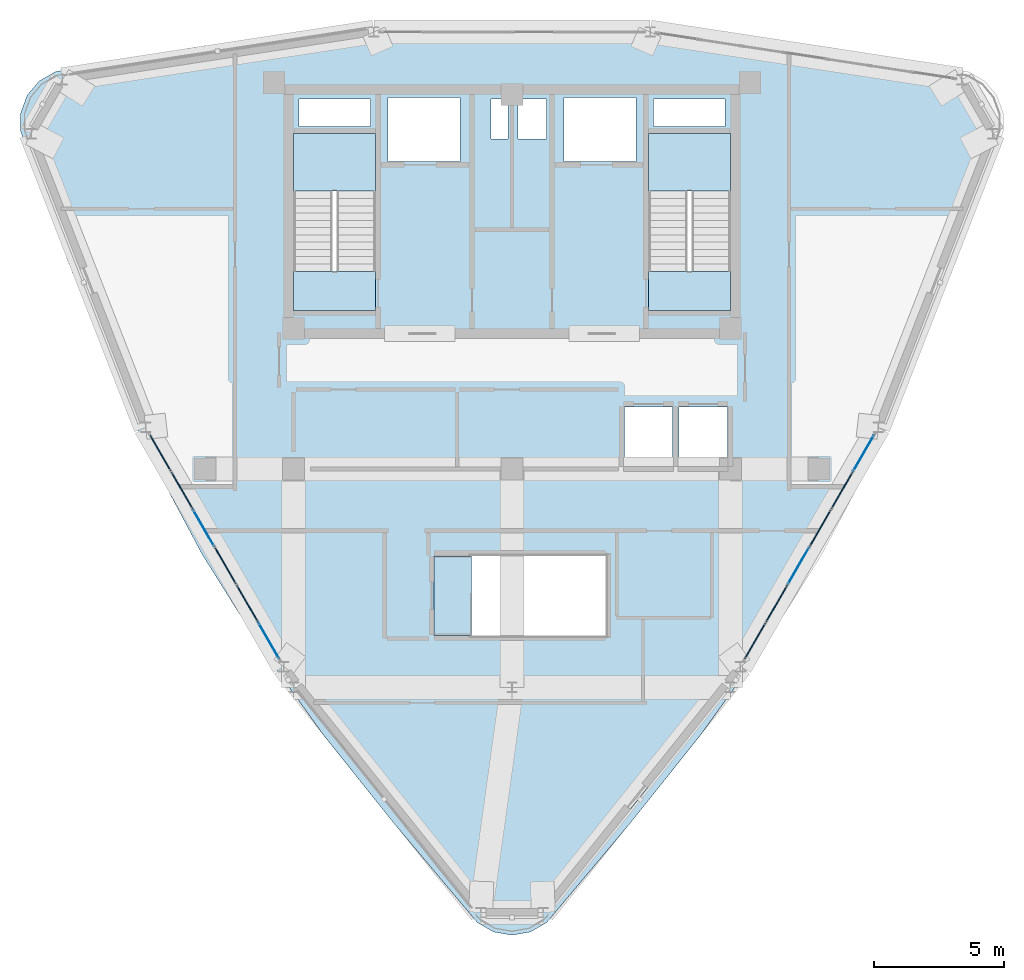
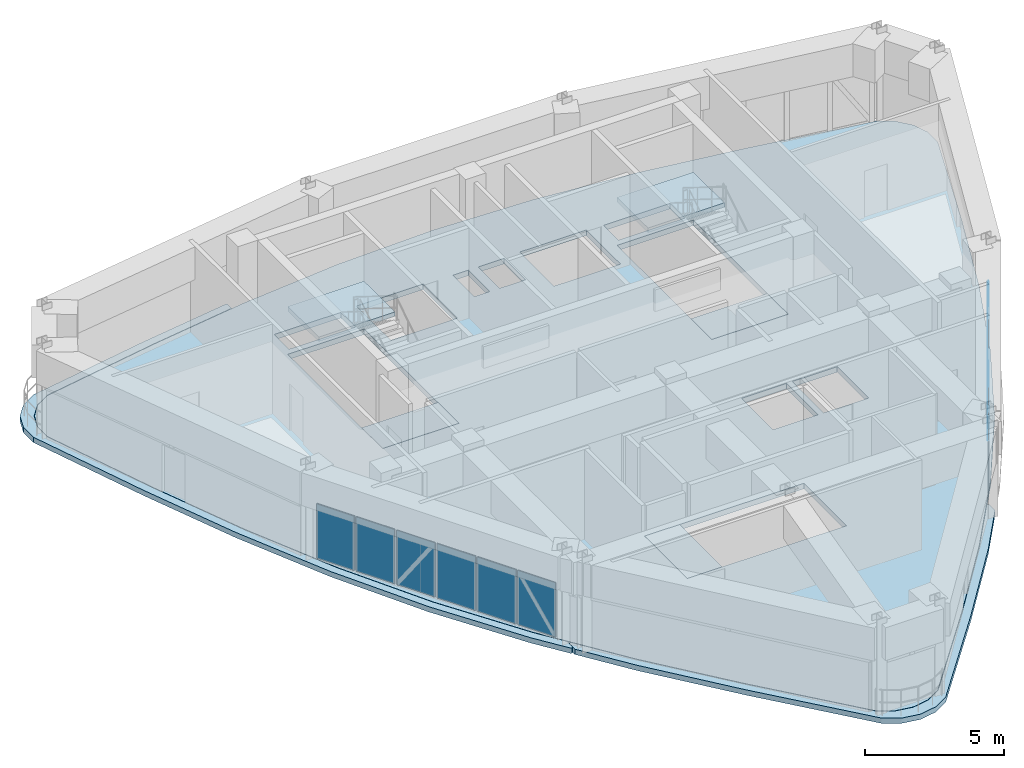
# One storey, part 11 of 16: 12 plates, 8 slabs, 4 elements without a shape of their own.
"""IFC4 building model written with IfcOpenShell, lengths in metres."""

from ifc_helpers import new_model, si_unit, derived_unit, direction, frame, origin, origin_2d, place, context, subcontext, project, spatial, polyline, rectangle, outline, extrude, source, transform, mapped, material, layer, layer_set, type_object, element, aggregate, save


model = new_model("IFC4")

# Units and contexts
model_context = context("Model", 3, precision=1e-05, world=origin(), true_north=direction((0.0, 1.0)))
body_context = subcontext(model_context, "Body", "Model", "MODEL_VIEW")
ifc_project = project(units=[si_unit("LENGTHUNIT", "METRE"), si_unit("AREAUNIT", "SQUARE_METRE"), si_unit("VOLUMEUNIT", "CUBIC_METRE"), si_unit("PLANEANGLEUNIT", "RADIAN"), si_unit("MASSUNIT", "GRAM", prefix="KILO"), derived_unit("THERMALTRANSMITTANCEUNIT", [(si_unit("POWERUNIT", "WATT"), 1), (si_unit("LENGTHUNIT", "METRE"), -2), (si_unit("THERMODYNAMICTEMPERATUREUNIT", "KELVIN"), -1)])], contexts=[model_context])

# Site, building, storey
site_placement = place(None, origin())
site = spatial("IfcSite", under=ifc_project, at=site_placement, CompositionType="ELEMENT")
building_placement = place(site_placement, origin())
building = spatial("IfcBuilding", under=site, at=building_placement, Name="Korsvarv Bourse and Concert Hall", CompositionType="ELEMENT")
storey_placement = place(building_placement, frame((0.0, 0.0, 288.0)))
storey = spatial("IfcBuildingStorey", under=building, at=storey_placement, Name="L75", CompositionType="ELEMENT", Elevation=288.0)

# Slabs
ifc_material_1 = material(Name="Precast concrete C45/55", Category="concrete")
ifc_layer_1 = layer(ifc_material_1, 0.199951171875)
ifc_layer_set_1 = layer_set([ifc_layer_1], Name="Precast concrete C45/55")
slab_type_1 = type_object("IfcSlabType", Name="SLB-FLND-T", PredefinedType="LANDING", material=ifc_layer_set_1)
slab_1_placement = place(storey_placement, frame((0.0, 0.0, -0.199951171875)))
element("IfcSlab", 1, at=slab_1_placement, inside=storey, type_object=slab_type_1, Name="L75 Stair ST-T1 Floor Landing Slab", PredefinedType="LANDING", context=body_context, shape_type="SweptSolid", body=[
    extrude(outline(polyline([(30.760009765625, 38.5), (30.760009765625, 40.0), (27.60009765625, 40.0), (27.60009765625, 38.5), (30.760009765625, 38.5)])), origin(), (0.0, 0.0, 1.0), 0.199951171875),
])
slab_2_placement = place(storey_placement, frame((0.0, 0.0, -0.199951171875)))
element("IfcSlab", 2, at=slab_2_placement, inside=storey, type_object=slab_type_1, Name="L75 Stair ST-T2 Floor Landing Slab", PredefinedType="LANDING", context=body_context, shape_type="SweptSolid", body=[
    extrude(outline(polyline([(44.39990234375, 38.5), (44.39990234375, 40.0), (41.239990234375, 40.0), (41.239990234375, 38.5), (44.39990234375, 38.5)])), origin(), (0.0, 0.0, 1.0), 0.199951171875),
])
slab_3_placement = place(storey_placement, frame((0.0, 0.0, -0.199951171875)))
element("IfcSlab", 3, at=slab_3_placement, inside=storey, type_object=slab_type_1, Name="L75 Stair ST-LK1 Floor Landing Slab", PredefinedType="LANDING", context=body_context, shape_type="SweptSolid", body=[
    extrude(outline(polyline([(33.0, 26.0), (34.449951171875, 26.0), (34.449951171875, 29.06005859375), (33.0, 29.06005859375), (33.0, 26.0)])), origin(), (0.0, 0.0, 1.0), 0.199951171875),
])
ifc_material_2 = material(Name="Concrete C45/55", Category="concrete")
ifc_layer_2 = layer(ifc_material_2, 0.239990234375)
ifc_layer_set_2 = layer_set([ifc_layer_2], Name="Concrete C45/55")
slab_type_2 = type_object("IfcSlabType", Name="SLB-LKT", PredefinedType="FLOOR", material=ifc_layer_set_2)
slab_4_placement = place(storey_placement, frame((0.0, 0.0, -0.239990234375)))
element("IfcSlab", 4, at=slab_4_placement, inside=storey, type_object=slab_type_2, Name="L75 tower structural floor slab", PredefinedType="FLOOR", context=body_context, shape_type="SweptSolid", body=[
    extrude(outline(polyline([(54.1455078125, 44.359130859375), (52.722412109375, 40.440673828125), (51.211669921875, 36.59765625), (49.531494140625, 32.8720703125), (47.626953125, 29.287109375), (45.474853515625, 25.84521484375), (43.088134765625, 22.527587890625), (40.515380859375, 19.297607421875), (37.8330078125, 16.105712890625), (37.28662109375, 15.454345703125), (36.6845703125, 15.106689453125), (36.0, 14.986083984375), (35.3154296875, 15.106689453125), (34.713623046875, 15.454345703125), (34.16650390625, 16.106201171875), (31.484619140625, 19.297607421875), (28.911865234375, 22.527587890625), (26.525146484375, 25.84521484375), (24.373046875, 29.287109375), (22.468505859375, 32.8720703125), (20.788330078125, 36.59765625), (19.277587890625, 40.440673828125), (17.8544921875, 44.359619140625), (17.563720703125, 45.15869140625), (17.563720703125, 45.85400390625), (17.801513671875, 46.5068359375), (18.248291015625, 47.039306640625), (18.85009765625, 47.386962890625), (19.68798828125, 47.53466796875), (23.793212890625, 48.26171875), (27.876708984375, 48.874755859375), (31.943115234375, 49.28271484375), (36.0, 49.42578125), (40.056884765625, 49.28271484375), (44.123291015625, 48.874755859375), (48.206787109375, 48.26171875), (52.3125, 47.53466796875), (53.14990234375, 47.386962890625), (53.751708984375, 47.039306640625), (54.198486328125, 46.5068359375), (54.436279296875, 45.85400390625), (54.436279296875, 45.15869140625), (54.1455078125, 44.359130859375)]), holes=[polyline([(30.760009765625, 38.5), (30.760009765625, 45.300048828125), (27.60009765625, 45.300048828125), (27.60009765625, 38.5), (30.760009765625, 38.5)]), polyline([(44.39990234375, 38.5), (44.39990234375, 45.300048828125), (41.239990234375, 45.300048828125), (41.239990234375, 38.5), (44.39990234375, 38.5)]), polyline([(33.0, 26.0), (39.60009765625, 26.0), (39.60009765625, 29.06005859375), (33.0, 29.06005859375), (33.0, 26.0)]), polyline([(31.239990234375, 44.219970703125), (34.0, 44.219970703125), (34.0, 46.679931640625), (31.239990234375, 46.679931640625), (31.239990234375, 44.219970703125)]), polyline([(38.0, 44.219970703125), (40.760009765625, 44.219970703125), (40.760009765625, 46.679931640625), (38.0, 46.679931640625), (38.0, 44.219970703125)]), polyline([(40.320068359375, 32.52001953125), (42.179931640625, 32.52001953125), (42.179931640625, 34.780029296875), (40.320068359375, 34.780029296875), (40.320068359375, 32.52001953125)]), polyline([(42.419921875, 32.52001953125), (44.280029296875, 32.52001953125), (44.280029296875, 34.780029296875), (42.419921875, 34.780029296875), (42.419921875, 32.52001953125)]), polyline([(27.800048828125, 45.56005859375), (30.56005859375, 45.56005859375), (30.56005859375, 46.6201171875), (27.800048828125, 46.6201171875), (27.800048828125, 45.56005859375)]), polyline([(41.43994140625, 45.56005859375), (44.199951171875, 45.56005859375), (44.199951171875, 46.6201171875), (41.43994140625, 46.6201171875), (41.43994140625, 45.56005859375)]), polyline([(35.199951171875, 45.080078125), (35.840087890625, 45.080078125), (35.840087890625, 46.6201171875), (35.199951171875, 46.6201171875), (35.199951171875, 45.080078125)]), polyline([(36.239990234375, 45.080078125), (37.320068359375, 45.080078125), (37.320068359375, 46.6201171875), (36.239990234375, 46.6201171875), (36.239990234375, 45.080078125)])]), origin(), (0.0, 0.0, 1.0), 0.239990234375),
])
ifc_layer_3 = layer(ifc_material_2, 0.22998046875)
ifc_layer_set_3 = layer_set([ifc_layer_3], Name="Concrete C45/55")
slab_type_3 = type_object("IfcSlabType", Name="SLB-SKY", PredefinedType="FLOOR", material=ifc_layer_set_3)
slab_5_placement = place(storey_placement, frame((0.0, 0.0, -0.22998046875)))
element("IfcSlab", 5, at=slab_5_placement, inside=storey, type_object=slab_type_3, Name="L75 Crescent Sky Garden Terrace 1", PredefinedType="FLOOR", context=body_context, shape_type="SweptSolid", body=[
    extrude(outline(polyline([(17.5537109375, 45.853759765625), (17.5537109375, 45.853271484375), (17.5537109375, 45.159423828125), (17.5537109375, 45.15869140625), (17.5537109375, 45.157470703125), (17.553955078125, 45.156494140625), (17.55419921875, 45.1552734375), (17.554443359375, 45.15478515625), (17.844970703125, 44.356201171875), (19.26806640625, 40.4375), (19.268310546875, 40.437255859375), (19.268310546875, 40.436767578125), (20.77880859375, 36.59423828125), (20.779052734375, 36.593994140625), (20.779541015625, 36.593017578125), (22.458984375, 32.868408203125), (22.45947265625, 32.86767578125), (22.459716796875, 32.866943359375), (24.364013671875, 29.282958984375), (24.364501953125, 29.2822265625), (24.364990234375, 29.281494140625), (26.5166015625, 25.84033203125), (26.516845703125, 25.839599609375), (26.517333984375, 25.839111328125), (27.288818359375, 24.766845703125), (27.2919921875, 24.761474609375), (27.294921875, 24.756103515625), (27.297119140625, 24.75), (27.298583984375, 24.744140625), (27.2998046875, 24.73779296875), (27.300048828125, 24.731689453125), (27.300048828125, 24.367919921875), (27.2998046875, 24.362060546875), (27.298828125, 24.356201171875), (27.297607421875, 24.3505859375), (27.295654296875, 24.34521484375), (27.293212890625, 24.33984375), (27.290283203125, 24.3349609375), (27.28662109375, 24.330078125), (27.282958984375, 24.325927734375), (27.278564453125, 24.322021484375), (27.27392578125, 24.318359375), (27.26904296875, 24.315185546875), (27.263916015625, 24.312744140625), (27.25830078125, 24.310791015625), (27.252685546875, 24.30908203125), (27.2470703125, 24.308349609375), (27.2412109375, 24.307861328125), (27.235595703125, 24.30810546875), (27.229736328125, 24.30859375), (27.22412109375, 24.31005859375), (27.218505859375, 24.311767578125), (27.213134765625, 24.314208984375), (27.2080078125, 24.31689453125), (27.203369140625, 24.3203125), (27.198974609375, 24.32421875), (27.19482421875, 24.328369140625), (27.19140625, 24.332763671875), (26.285400390625, 25.59228515625), (26.283203125, 25.595458984375), (24.08154296875, 29.116455078125), (24.079345703125, 29.1201171875), (22.131103515625, 32.787353515625), (22.12939453125, 32.790771484375), (20.41064453125, 36.6025390625), (20.409423828125, 36.605224609375), (18.86328125, 40.53759765625), (18.86279296875, 40.5390625), (17.40625, 44.55029296875), (17.111083984375, 45.361572265625), (17.109375, 45.36669921875), (17.1083984375, 45.37158203125), (17.107666015625, 45.376953125), (17.107421875, 45.382080078125), (17.107421875, 46.07958984375), (17.107666015625, 46.0849609375), (17.1083984375, 46.090087890625), (17.109375, 46.09521484375), (17.111083984375, 46.10009765625), (17.349609375, 46.755859375), (17.3515625, 46.760498046875), (17.35400390625, 46.76513671875), (17.356689453125, 46.769775390625), (17.360107421875, 46.773681640625), (17.80859375, 47.30810546875), (17.81201171875, 47.31201171875), (17.81591796875, 47.315673828125), (17.820068359375, 47.31884765625), (17.824462890625, 47.321533203125), (18.428466796875, 47.67041015625), (18.43310546875, 47.6728515625), (18.43798828125, 47.6748046875), (18.443115234375, 47.676513671875), (18.447998046875, 47.677490234375), (19.299072265625, 47.82763671875), (23.50048828125, 48.57177734375), (23.502197265625, 48.572021484375), (27.231201171875, 49.1318359375), (27.23681640625, 49.13232421875), (27.242431640625, 49.13232421875), (27.248291015625, 49.1318359375), (27.25390625, 49.130859375), (27.259521484375, 49.129150390625), (27.2646484375, 49.127197265625), (27.269775390625, 49.12451171875), (27.274658203125, 49.121337890625), (27.279296875, 49.117919921875), (27.283203125, 49.114013671875), (27.287109375, 49.109619140625), (27.290283203125, 49.10498046875), (27.293212890625, 49.10009765625), (27.295654296875, 49.0947265625), (27.297607421875, 49.08935546875), (27.298828125, 49.083740234375), (27.2998046875, 49.078125), (27.300048828125, 49.072509765625), (27.300048828125, 48.85009765625), (27.2998046875, 48.843994140625), (27.298828125, 48.837890625), (27.297119140625, 48.83203125), (27.295166015625, 48.826171875), (27.29248046875, 48.82080078125), (27.289306640625, 48.815673828125), (27.285400390625, 48.810791015625), (27.28125, 48.806396484375), (27.276611328125, 48.802490234375), (27.271484375, 48.799072265625), (27.266357421875, 48.7958984375), (27.2607421875, 48.793701171875), (27.2548828125, 48.791748046875), (27.248779296875, 48.79052734375), (23.791748046875, 48.271484375), (23.79150390625, 48.271484375), (23.791015625, 48.271484375), (19.686279296875, 47.54443359375), (18.84912109375, 47.39697265625), (18.848388671875, 47.396728515625), (18.84716796875, 47.396484375), (18.84619140625, 47.39599609375), (18.84521484375, 47.3955078125), (18.844482421875, 47.395263671875), (18.24365234375, 47.04833984375), (18.2431640625, 47.048095703125), (18.2421875, 47.04736328125), (18.241455078125, 47.046630859375), (18.240478515625, 47.045654296875), (18.239990234375, 47.04541015625), (17.794189453125, 46.513916015625), (17.793701171875, 46.513427734375), (17.79296875, 46.51220703125), (17.79248046875, 46.511474609375), (17.7919921875, 46.51025390625), (17.791748046875, 46.509765625), (17.554443359375, 45.85791015625), (17.55419921875, 45.857421875), (17.553955078125, 45.85595703125), (17.5537109375, 45.85498046875), (17.5537109375, 45.853759765625)])), origin(), (0.0, 0.0, 1.0), 0.22998046875),
])
slab_6_placement = place(storey_placement, frame((0.0, 0.0, -0.22998046875)))
element("IfcSlab", 6, at=slab_6_placement, inside=storey, type_object=slab_type_3, Name="L75 Crescent Sky Garden Terrace 3", PredefinedType="FLOOR", context=body_context, shape_type="SweptSolid", body=[
    extrude(outline(polyline([(34.70751953125, 15.4462890625), (34.70849609375, 15.445556640625), (34.708984375, 15.4453125), (35.31005859375, 15.098388671875), (35.310546875, 15.09814453125), (35.311767578125, 15.09765625), (35.3125, 15.097412109375), (35.31396484375, 15.096923828125), (35.314453125, 15.0966796875), (35.99755859375, 14.976318359375), (35.998291015625, 14.976318359375), (35.99951171875, 14.97607421875), (36.00048828125, 14.97607421875), (36.001708984375, 14.976318359375), (36.00244140625, 14.976318359375), (36.685546875, 15.0966796875), (36.68603515625, 15.096923828125), (36.6875, 15.097412109375), (36.688232421875, 15.09765625), (36.689453125, 15.09814453125), (36.68994140625, 15.098388671875), (37.291015625, 15.4453125), (37.29150390625, 15.44580078125), (37.29248046875, 15.4462890625), (37.293212890625, 15.447021484375), (37.294189453125, 15.447998046875), (37.29443359375, 15.448486328125), (37.8408203125, 16.09912109375), (40.52294921875, 19.291015625), (40.523193359375, 19.291259765625), (40.5234375, 19.29150390625), (43.095703125, 22.52099609375), (43.09619140625, 22.521484375), (43.0966796875, 22.522216796875), (44.59130859375, 24.599853515625), (44.594970703125, 24.6044921875), (44.598876953125, 24.608642578125), (44.603515625, 24.6123046875), (44.608154296875, 24.61572265625), (44.61328125, 24.61865234375), (44.618408203125, 24.620849609375), (44.6240234375, 24.622802734375), (44.629638671875, 24.6240234375), (44.635498046875, 24.624755859375), (44.641357421875, 24.625), (44.647216796875, 24.62451171875), (44.65283203125, 24.62353515625), (44.658447265625, 24.6220703125), (44.663818359375, 24.6201171875), (44.669189453125, 24.617431640625), (44.674072265625, 24.6142578125), (44.6787109375, 24.61083984375), (44.682861328125, 24.60693359375), (44.686767578125, 24.6025390625), (44.690185546875, 24.597900390625), (44.693115234375, 24.5927734375), (44.695556640625, 24.587646484375), (44.697509765625, 24.58203125), (44.698974609375, 24.576416015625), (44.69970703125, 24.57080078125), (44.699951171875, 24.56494140625), (44.699951171875, 24.200927734375), (44.69970703125, 24.19482421875), (44.69873046875, 24.188720703125), (44.697021484375, 24.1826171875), (44.69482421875, 24.1767578125), (44.692138671875, 24.171142578125), (44.688720703125, 24.166015625), (43.27294921875, 22.197998046875), (43.271240234375, 22.195556640625), (40.638671875, 18.890380859375), (40.6376953125, 18.889404296875), (37.89208984375, 15.622314453125), (37.337158203125, 14.9609375), (37.33349609375, 14.95703125), (37.32958984375, 14.95361328125), (37.32568359375, 14.9501953125), (37.321044921875, 14.947509765625), (36.717041015625, 14.5986328125), (36.71240234375, 14.59619140625), (36.70751953125, 14.59423828125), (36.70263671875, 14.5927734375), (36.697509765625, 14.591552734375), (36.010498046875, 14.470458984375), (36.005126953125, 14.4697265625), (36.0, 14.469482421875), (35.994873046875, 14.4697265625), (35.989501953125, 14.470458984375), (35.302490234375, 14.591552734375), (35.29736328125, 14.5927734375), (35.29248046875, 14.59423828125), (35.28759765625, 14.59619140625), (35.282958984375, 14.5986328125), (34.678955078125, 14.947509765625), (34.67431640625, 14.9501953125), (34.67041015625, 14.95361328125), (34.66650390625, 14.95703125), (34.662841796875, 14.9609375), (34.107421875, 15.622802734375), (31.3623046875, 18.889404296875), (31.361328125, 18.890380859375), (28.728759765625, 22.195556640625), (28.72705078125, 22.197998046875), (27.311279296875, 24.166015625), (27.307861328125, 24.171142578125), (27.30517578125, 24.1767578125), (27.302978515625, 24.1826171875), (27.30126953125, 24.188720703125), (27.30029296875, 24.19482421875), (27.300048828125, 24.200927734375), (27.300048828125, 24.56494140625), (27.30029296875, 24.57080078125), (27.301025390625, 24.576416015625), (27.302490234375, 24.58203125), (27.304443359375, 24.587646484375), (27.306884765625, 24.5927734375), (27.309814453125, 24.597900390625), (27.313232421875, 24.6025390625), (27.317138671875, 24.60693359375), (27.3212890625, 24.61083984375), (27.325927734375, 24.6142578125), (27.330810546875, 24.617431640625), (27.336181640625, 24.6201171875), (27.341552734375, 24.6220703125), (27.34716796875, 24.62353515625), (27.352783203125, 24.62451171875), (27.358642578125, 24.625), (27.364501953125, 24.624755859375), (27.370361328125, 24.6240234375), (27.3759765625, 24.622802734375), (27.381591796875, 24.620849609375), (27.38671875, 24.61865234375), (27.391845703125, 24.61572265625), (27.396484375, 24.6123046875), (27.401123046875, 24.608642578125), (27.405029296875, 24.6044921875), (27.40869140625, 24.599853515625), (28.9033203125, 22.522216796875), (28.90380859375, 22.521728515625), (28.904296875, 22.52099609375), (31.4765625, 19.29150390625), (31.476806640625, 19.291259765625), (31.47705078125, 19.291015625), (34.158935546875, 16.099609375), (34.70556640625, 15.448486328125), (34.705810546875, 15.447998046875), (34.706787109375, 15.447021484375), (34.70751953125, 15.4462890625)])), origin(), (0.0, 0.0, 1.0), 0.22998046875),
])

# Stair, slab
stair_type = type_object("IfcStairType", Name="STR-TYPE-05", PredefinedType="HALF_TURN_STAIR", material=ifc_material_1)
stair_1_placement = place(storey_placement, origin())
stair_1 = element("IfcStair", 7, at=stair_1_placement, inside=storey, type_object=stair_type, Name="L75 Tower West Exit Stair ST-T1", PredefinedType="HALF_TURN_STAIR")
ifc_layer_4 = layer(ifc_material_1, 0.199951171875)
ifc_layer_set_4 = layer_set([ifc_layer_4], Name="Precast concrete C45/55")
slab_type_4 = type_object("IfcSlabType", Name="SLB-ST-LND", PredefinedType="LANDING", material=ifc_layer_set_4)
slab_7_placement = place(storey_placement, frame((0.0, 0.0, 1.89990234375)))
slab_7 = element("IfcSlab", 8, at=slab_7_placement, type_object=slab_type_4, Name="ST-T1 landing 1", PredefinedType="LANDING", context=body_context, shape_type="SweptSolid", body=[
    extrude(outline(polyline([(30.760009765625, 43.080078125), (30.760009765625, 45.300048828125), (27.60009765625, 45.300048828125), (27.60009765625, 43.080078125), (30.760009765625, 43.080078125)])), origin(), (0.0, 0.0, 1.0), 0.2001953125),
])
aggregate(stair_1, [slab_7])

stair_2_placement = place(storey_placement, origin())
stair_2 = element("IfcStair", 9, at=stair_2_placement, inside=storey, type_object=stair_type, Name="L75 Tower East Exit Stair ST-T2", PredefinedType="HALF_TURN_STAIR")
slab_8_placement = place(storey_placement, frame((0.0, 0.0, 1.89990234375)))
slab_8 = element("IfcSlab", 10, at=slab_8_placement, type_object=slab_type_4, Name="ST-T2 landing 1", PredefinedType="LANDING", context=body_context, shape_type="SweptSolid", body=[
    extrude(outline(polyline([(44.39990234375, 43.080078125), (44.39990234375, 45.300048828125), (41.239990234375, 45.300048828125), (41.239990234375, 43.080078125), (44.39990234375, 43.080078125)])), origin(), (0.0, 0.0, 1.0), 0.2001953125),
])
aggregate(stair_2, [slab_8])

# Curtain wall, plate
ifc_material_3 = material(Name="Anodised aluminium and triple low-E glazing", Category="glass")
ifc_layer_5 = layer(ifc_material_3, 0.18994140625)
ifc_layer_set_5 = layer_set([ifc_layer_5], Name="Anodised aluminium and triple low-E glazing")
curtain_wall_type = type_object("IfcCurtainWallType", Name="CW-SYS-4", PredefinedType="NOTDEFINED", material=ifc_layer_set_5)
curtain_wall_1_placement = place(storey_placement, origin())
curtain_wall_1 = element("IfcCurtainWall", 11, at=curtain_wall_1_placement, inside=storey, type_object=curtain_wall_type, Name="L75 CW4 curtain wall CW-L75-F07", PredefinedType="NOTDEFINED")
ifc_material_4 = material(Name="Tempered triple insulated low-E architectural glass", Category="glass")
ifc_layer_6 = layer(ifc_material_4, 0.0419921875)
ifc_layer_set_6 = layer_set([ifc_layer_6], Name="Tempered triple insulated low-E architectural glass")
plate_type_1 = type_object("IfcPlateType", Name="CWP-VIS3", PredefinedType="CURTAIN_PANEL", material=ifc_layer_set_6)
shared_shape_1 = source(origin(), body_context, "Body", "SweptSolid", [
    extrude(rectangle(XDim=1.569091796875, YDim=0.0419921875, at=origin_2d()), origin(), (0.0, 0.0, 1.0), 2.3798828125),
])
plate_1_placement = place(storey_placement, frame((22.481201171875, 33.00732421875, 0.06494140625), z_axis=(0.0, 0.0, 1.0), x_axis=(0.500004550967, -0.866022776267, 0.0)))
plate_1 = element("IfcPlate", 12, at=plate_1_placement, type_object=plate_type_1, Name="CW4 faceted panel 1.1", PredefinedType="CURTAIN_PANEL", context=body_context, shape_type="MappedRepresentation", body=[
    mapped(shared_shape_1, transform((0.0, 0.0, 0.0), scale=1.0)),
])

curtain_wall_2_placement = place(storey_placement, origin())
curtain_wall_2 = element("IfcCurtainWall", 13, at=curtain_wall_2_placement, inside=storey, type_object=curtain_wall_type, Name="L75 CW4 curtain wall CW-L75-F11", PredefinedType="NOTDEFINED")
plate_2_placement = place(storey_placement, frame((45.35107421875, 25.788818359375, 0.06494140625), z_axis=(0.0, 0.0, 1.0), x_axis=(0.500004550967, 0.866022776267, 0.0)))
plate_2 = element("IfcPlate", 14, at=plate_2_placement, type_object=plate_type_1, Name="CW4 faceted panel 1.1", PredefinedType="CURTAIN_PANEL", context=body_context, shape_type="MappedRepresentation", body=[
    mapped(shared_shape_1, transform((0.0, 0.0, 0.0), scale=1.0)),
])

# Plate
shared_shape_2 = source(origin(), body_context, "Body", "SweptSolid", [
    extrude(rectangle(XDim=1.60400390625, YDim=0.0419921875, at=origin_2d()), origin(), (0.0, 0.0, 1.0), 2.3798828125),
])
plate_3_placement = place(storey_placement, frame((23.3095703125, 31.57275390625, 0.06494140625), z_axis=(0.0, 0.0, 1.0), x_axis=(0.500004550967, -0.866022776267, 0.0)))
plate_3 = element("IfcPlate", 15, at=plate_3_placement, type_object=plate_type_1, Name="CW4 faceted panel 2.1", PredefinedType="CURTAIN_PANEL", context=body_context, shape_type="MappedRepresentation", body=[
    mapped(shared_shape_2, transform((0.0, 0.0, 0.0), scale=1.0)),
])

plate_4_placement = place(storey_placement, frame((24.9833984375, 28.673095703125, 0.06494140625), z_axis=(0.0, 0.0, 1.0), x_axis=(0.500004550967, -0.866022776267, 0.0)))
plate_4 = element("IfcPlate", 16, at=plate_4_placement, type_object=plate_type_1, Name="CW4 faceted panel 4.1", PredefinedType="CURTAIN_PANEL", context=body_context, shape_type="MappedRepresentation", body=[
    mapped(shared_shape_2, transform((0.0, 0.0, 0.0), scale=1.0)),
])

plate_5_placement = place(storey_placement, frame((25.820556640625, 27.223388671875, 0.06494140625), z_axis=(0.0, 0.0, 1.0), x_axis=(0.500004550967, -0.866022776267, 0.0)))
plate_5 = element("IfcPlate", 17, at=plate_5_placement, type_object=plate_type_1, Name="CW4 faceted panel 5.1", PredefinedType="CURTAIN_PANEL", context=body_context, shape_type="MappedRepresentation", body=[
    mapped(shared_shape_2, transform((0.0, 0.0, 0.0), scale=1.0)),
])

plate_6_placement = place(storey_placement, frame((46.179443359375, 27.223388671875, 0.06494140625), z_axis=(0.0, 0.0, 1.0), x_axis=(0.500004550967, 0.866022776267, 0.0)))
plate_6 = element("IfcPlate", 18, at=plate_6_placement, type_object=plate_type_1, Name="CW4 faceted panel 2.1", PredefinedType="CURTAIN_PANEL", context=body_context, shape_type="MappedRepresentation", body=[
    mapped(shared_shape_2, transform((0.0, 0.0, 0.0), scale=1.0)),
])

plate_7_placement = place(storey_placement, frame((47.853515625, 30.122802734375, 0.06494140625), z_axis=(0.0, 0.0, 1.0), x_axis=(0.500004550967, 0.866022776267, 0.0)))
plate_7 = element("IfcPlate", 19, at=plate_7_placement, type_object=plate_type_1, Name="CW4 faceted panel 4.1", PredefinedType="CURTAIN_PANEL", context=body_context, shape_type="MappedRepresentation", body=[
    mapped(shared_shape_2, transform((0.0, 0.0, 0.0), scale=1.0)),
])

plate_8_placement = place(storey_placement, frame((48.6904296875, 31.57275390625, 0.06494140625), z_axis=(0.0, 0.0, 1.0), x_axis=(0.500004550967, 0.866022776267, 0.0)))
plate_8 = element("IfcPlate", 20, at=plate_8_placement, type_object=plate_type_1, Name="CW4 faceted panel 5.1", PredefinedType="CURTAIN_PANEL", context=body_context, shape_type="MappedRepresentation", body=[
    mapped(shared_shape_2, transform((0.0, 0.0, 0.0), scale=1.0)),
])

ifc_material_5 = material(Name="Insulated spandrel glass", Category="glass")
ifc_layer_7 = layer(ifc_material_5, 0.031982421875)
ifc_layer_set_7 = layer_set([ifc_layer_7], Name="Insulated spandrel glass")
plate_type_2 = type_object("IfcPlateType", Name="CWP-SPD1", PredefinedType="CURTAIN_PANEL", material=ifc_layer_set_7)
shared_shape_3 = source(origin(), body_context, "Body", "SweptSolid", [
    extrude(rectangle(XDim=1.60400390625, YDim=0.031982421875, at=origin_2d()), origin(), (0.0, 0.0, 1.0), 2.3798828125),
])
plate_9_placement = place(storey_placement, frame((24.146484375, 30.122802734375, 0.06494140625), z_axis=(0.0, 0.0, 1.0), x_axis=(0.500004550967, -0.866022776267, 0.0)))
plate_9 = element("IfcPlate", 21, at=plate_9_placement, type_object=plate_type_2, Name="CW4 spandrel shadow-box panel 3.1", PredefinedType="CURTAIN_PANEL", context=body_context, shape_type="MappedRepresentation", body=[
    mapped(shared_shape_3, transform((0.0, 0.0, 0.0), scale=1.0)),
])

plate_10_placement = place(storey_placement, frame((47.0166015625, 28.673095703125, 0.06494140625), z_axis=(0.0, 0.0, 1.0), x_axis=(0.500004550967, 0.866022776267, 0.0)))
plate_10 = element("IfcPlate", 22, at=plate_10_placement, type_object=plate_type_2, Name="CW4 spandrel shadow-box panel 3.1", PredefinedType="CURTAIN_PANEL", context=body_context, shape_type="MappedRepresentation", body=[
    mapped(shared_shape_3, transform((0.0, 0.0, 0.0), scale=1.0)),
])

shared_shape_4 = source(origin(), body_context, "Body", "SweptSolid", [
    extrude(rectangle(XDim=1.569091796875, YDim=0.031982421875, at=origin_2d()), origin(), (0.0, 0.0, 1.0), 2.3798828125),
])
plate_11_placement = place(storey_placement, frame((26.64892578125, 25.788818359375, 0.06494140625), z_axis=(0.0, 0.0, 1.0), x_axis=(0.500004550967, -0.866022776267, 0.0)))
plate_11 = element("IfcPlate", 23, at=plate_11_placement, type_object=plate_type_2, Name="CW4 spandrel shadow-box panel 6.1", PredefinedType="CURTAIN_PANEL", context=body_context, shape_type="MappedRepresentation", body=[
    mapped(shared_shape_4, transform((0.0, 0.0, 0.0), scale=1.0)),
])

aggregate(curtain_wall_1, [plate_1, plate_3, plate_9, plate_4, plate_5, plate_11])

plate_12_placement = place(storey_placement, frame((49.518798828125, 33.00732421875, 0.06494140625), z_axis=(0.0, 0.0, 1.0), x_axis=(0.500004550967, 0.866022776267, 0.0)))
plate_12 = element("IfcPlate", 24, at=plate_12_placement, type_object=plate_type_2, Name="CW4 spandrel shadow-box panel 6.1", PredefinedType="CURTAIN_PANEL", context=body_context, shape_type="MappedRepresentation", body=[
    mapped(shared_shape_4, transform((0.0, 0.0, 0.0), scale=1.0)),
])

aggregate(curtain_wall_2, [plate_2, plate_6, plate_10, plate_7, plate_8, plate_12])

save(model, "model.ifc")
